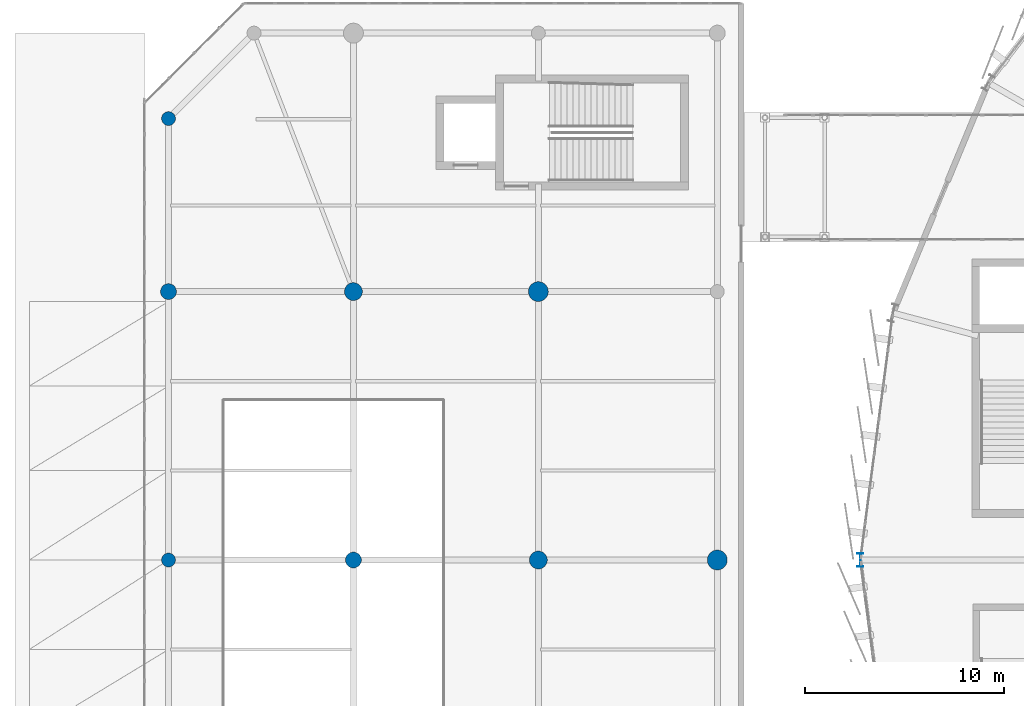
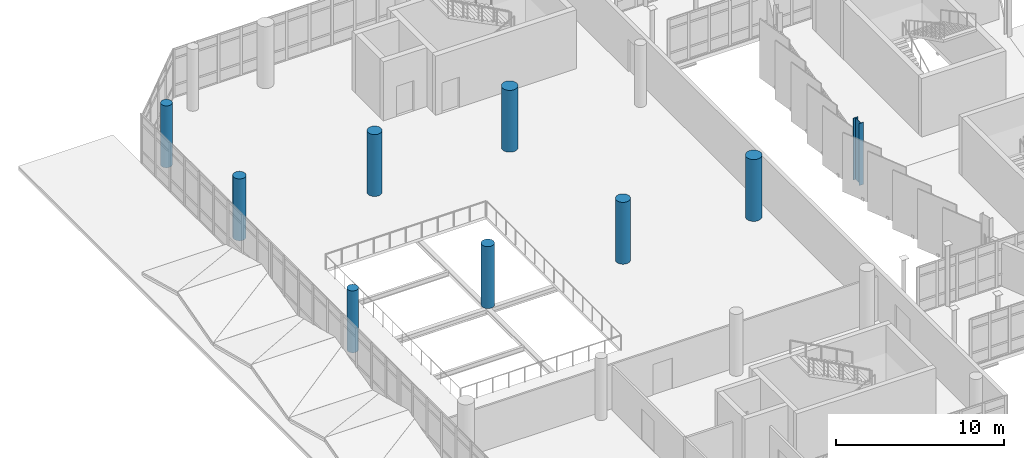
# One storey, part 10 of 134: 9 columns.
"""IFC4 building model written with IfcOpenShell, lengths in metres."""

from ifc_helpers import new_model, si_unit, direction, frame, origin, origin_2d, place, context, subcontext, project, spatial, circle, i_section, extrude, material, material_profile, profile_set, type_object, element, save


model = new_model("IFC4")

# Units and contexts
model_context = context("Model", 3, precision=1e-05, world=origin(), true_north=direction((0.0, 1.0)))
body_context = subcontext(model_context, "Body", "Model", "MODEL_VIEW")
ifc_project = project(units=[si_unit("LENGTHUNIT", "METRE"), si_unit("AREAUNIT", "SQUARE_METRE"), si_unit("VOLUMEUNIT", "CUBIC_METRE"), si_unit("PLANEANGLEUNIT", "RADIAN"), si_unit("MASSUNIT", "GRAM", prefix="KILO")], contexts=[model_context])

# Site, building, storey
site_placement = place(None, origin())
site = spatial("IfcSite", under=ifc_project, at=site_placement, CompositionType="ELEMENT")
building_placement = place(site_placement, origin())
building = spatial("IfcBuilding", under=site, at=building_placement, Name="Sohan Crest Arena", CompositionType="ELEMENT")
storey_placement = place(building_placement, frame((0.0, 0.0, 4.5)))
storey = spatial("IfcBuildingStorey", under=building, at=storey_placement, Name="L01", CompositionType="ELEMENT", Elevation=4.5)

# Columns
ifc_material_1 = material(Name="Concrete C40/50", Category="concrete")
ifc_material_profile_1 = material_profile(ifc_material_1, circle(Radius=0.35009765625, at=origin_2d()), Name="RC D700")
ifc_profile_set_1 = profile_set([ifc_material_profile_1], Name="Concrete C40/50")
column_type_1 = type_object("IfcColumnType", Name="STR-COL-C13", PredefinedType="COLUMN", material=ifc_profile_set_1)
for number, where, z_axis, x_axis, name in (
    (1, (15.199951171875, 78.0, 0.0), (0.0, 0.0, 1.0), (1.0, 0.0, 0.0), "Structural column COL-V3C-13-L01"),
    (2, (15.199951171875, 100.199951171875, 0.0), (0.0, 0.0, 1.0), (1.0, 0.0, 0.0), "Structural column COL-V3CH-3-L01"),
):
    element("IfcColumn", number, at=place(storey_placement, frame(where, z_axis=z_axis, x_axis=x_axis)), inside=storey, type_object=column_type_1, Name=name, PredefinedType="COLUMN", context=body_context, shape_type="SweptSolid", body=[
        extrude(circle(Radius=0.35009765625, at=origin_2d()), origin(), (0.0, 0.0, 1.0), 4.5),
    ])
ifc_material_profile_2 = material_profile(ifc_material_1, circle(Radius=0.39990234375, at=origin_2d()), Name="RC D800")
ifc_profile_set_2 = profile_set([ifc_material_profile_2], Name="Concrete C40/50")
column_type_2 = type_object("IfcColumnType", Name="STR-COL-C14", PredefinedType="COLUMN", material=ifc_profile_set_2)
for number, where, z_axis, x_axis, name in (
    (3, (15.199951171875, 91.5, 0.0), (0.0, 0.0, 1.0), (1.0, 0.0, 0.0), "Structural column COL-V3C-14-L01"),
    (4, (24.5, 78.0, 0.0), (0.0, 0.0, 1.0), (1.0, 0.0, 0.0), "Structural column COL-V3C-23-L01"),
):
    element("IfcColumn", number, at=place(storey_placement, frame(where, z_axis=z_axis, x_axis=x_axis)), inside=storey, type_object=column_type_2, Name=name, PredefinedType="COLUMN", context=body_context, shape_type="SweptSolid", body=[
        extrude(circle(Radius=0.39990234375, at=origin_2d()), origin(), (0.0, 0.0, 1.0), 4.5),
    ])
ifc_material_profile_3 = material_profile(ifc_material_1, circle(Radius=0.449951171875, at=origin_2d()), Name="RC D900")
ifc_profile_set_3 = profile_set([ifc_material_profile_3], Name="Concrete C40/50")
column_type_3 = type_object("IfcColumnType", Name="STR-COL-C15", PredefinedType="COLUMN", material=ifc_profile_set_3)
for number, where, z_axis, x_axis, name in (
    (5, (24.5, 91.5, 0.0), (0.0, 0.0, 1.0), (1.0, 0.0, 0.0), "Structural column COL-V3C-24-L01"),
    (6, (33.800048828125, 78.0, 0.0), (0.0, 0.0, 1.0), (1.0, 0.0, 0.0), "Structural column COL-V3C-33-L01"),
):
    element("IfcColumn", number, at=place(storey_placement, frame(where, z_axis=z_axis, x_axis=x_axis)), inside=storey, type_object=column_type_3, Name=name, PredefinedType="COLUMN", context=body_context, shape_type="SweptSolid", body=[
        extrude(circle(Radius=0.449951171875, at=origin_2d()), origin(), (0.0, 0.0, 1.0), 4.5),
    ])
ifc_material_profile_4 = material_profile(ifc_material_1, circle(Radius=0.5, at=origin_2d()), Name="RC D1000")
ifc_profile_set_4 = profile_set([ifc_material_profile_4], Name="Concrete C40/50")
column_type_4 = type_object("IfcColumnType", Name="STR-COL-C16", PredefinedType="COLUMN", material=ifc_profile_set_4)
for number, where, z_axis, x_axis, name in (
    (7, (33.800048828125, 91.5, 0.0), (0.0, 0.0, 1.0), (1.0, 0.0, 0.0), "Structural column COL-V3C-34-L01"),
    (8, (42.800048828125, 78.0, 0.0), (0.0, 0.0, 1.0), (1.0, 0.0, 0.0), "Structural column COL-V3C-43-L01"),
):
    element("IfcColumn", number, at=place(storey_placement, frame(where, z_axis=z_axis, x_axis=x_axis)), inside=storey, type_object=column_type_4, Name=name, PredefinedType="COLUMN", context=body_context, shape_type="SweptSolid", body=[
        extrude(circle(Radius=0.5, at=origin_2d()), origin(), (0.0, 0.0, 1.0), 4.5),
    ])
ifc_material_2 = material(Name="Steel S355", Category="steel")
ifc_material_profile_5 = material_profile(ifc_material_2, i_section(OverallWidth=0.300048828125, OverallDepth=0.699951171875, WebThickness=0.01708984375, FlangeThickness=0.031982421875, at=origin_2d()), Name="HEB 700")
ifc_profile_set_5 = profile_set([ifc_material_profile_5], Name="Steel S355")
column_type_5 = type_object("IfcColumnType", Name="STR-COL-C21", PredefinedType="COLUMN", material=ifc_profile_set_5)
column_placement = place(storey_placement, frame((50.0, 78.0, 0.0), z_axis=(0.0, 0.0, 1.0), x_axis=(1.0, 0.0, 0.0)))
element("IfcColumn", 9, at=column_placement, inside=storey, type_object=column_type_5, Name="Structural column COL-V2O-07-L01", PredefinedType="COLUMN", context=body_context, shape_type="SweptSolid", body=[
    extrude(i_section(OverallWidth=0.300048828125, OverallDepth=0.699951171875, WebThickness=0.01708984375, FlangeThickness=0.031982421875, at=origin_2d()), origin(), (0.0, 0.0, 1.0), 4.5),
])

save(model, "model.ifc")
